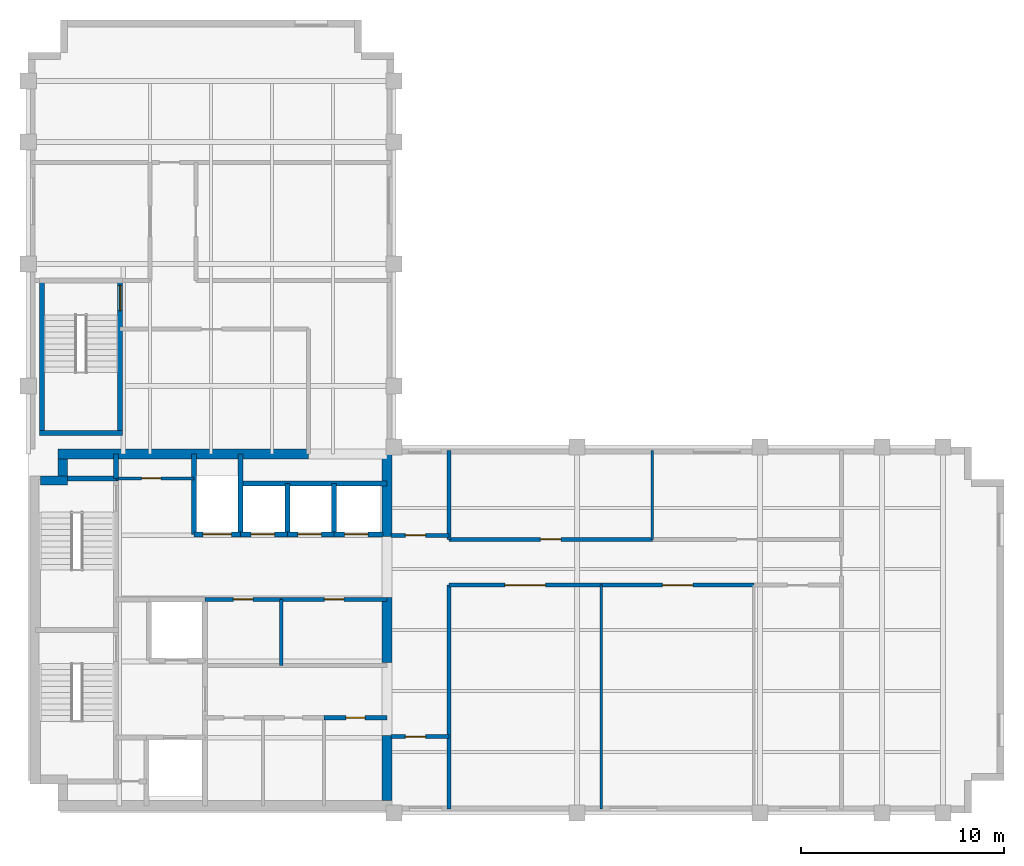
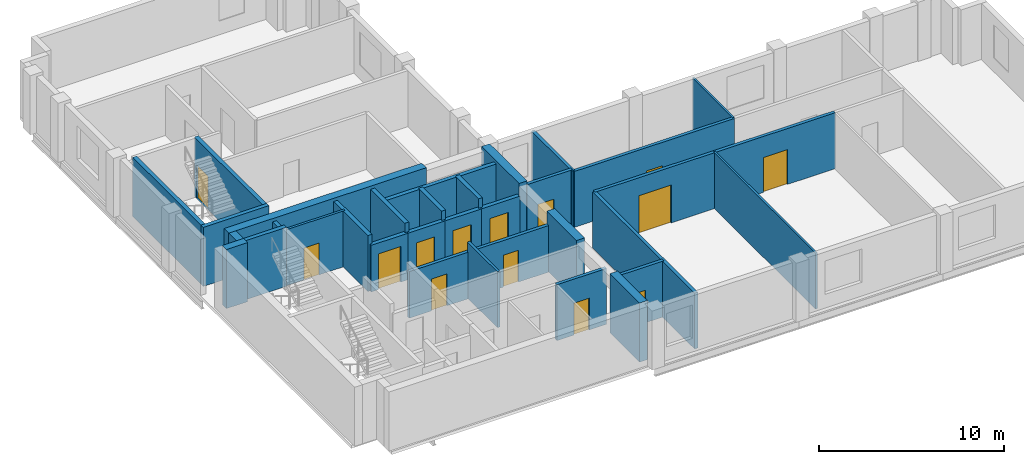
# One storey, part 3 of 6: 34 walls, 14 doors, 14 openings.
"""IFC4 building model written with IfcOpenShell, lengths in metres."""

from ifc_helpers import new_model, si_unit, direction, frame, frame_2d, origin, place, context, subcontext, project, spatial, rectangle, extrude, material, layer, layer_set, type_object, element, fill, save


model = new_model("IFC4")

# Units and contexts
model_context = context("Model", 3, precision=1e-05, world=origin(), true_north=direction((0.0, 1.0)))
body_context = subcontext(model_context, "Body", "Model", "MODEL_VIEW")
ifc_project = project(units=[si_unit("LENGTHUNIT", "METRE"), si_unit("AREAUNIT", "SQUARE_METRE"), si_unit("VOLUMEUNIT", "CUBIC_METRE"), si_unit("PLANEANGLEUNIT", "RADIAN"), si_unit("MASSUNIT", "GRAM", prefix="KILO")], contexts=[model_context])

# Site, building, storey
site_placement = place(None, origin())
site = spatial("IfcSite", under=ifc_project, at=site_placement, CompositionType="ELEMENT")
building_placement = place(site_placement, origin())
building = spatial("IfcBuilding", under=site, at=building_placement, Name="Mawjdan Bourse Tower", CompositionType="ELEMENT")
storey_placement = place(building_placement, frame((0.0, 0.0, 243.0)))
storey = spatial("IfcBuildingStorey", under=building, at=storey_placement, Name="L59", CompositionType="ELEMENT", Elevation=243.0)

# Wall, opening, door
ifc_material_1 = material(Name="Gypsum Fireboard Assembly")
ifc_layer_1 = layer(ifc_material_1, 0.199951171875)
ifc_layer_set_1 = layer_set([ifc_layer_1], Name="Gypsum Fireboard Assembly")
wall_type_1 = type_object("IfcWallType", Name="WL-CMP-200", PredefinedType="PARTITIONING", material=ifc_layer_set_1)
wall_1_placement = place(storey_placement, frame((20.550048828125, 7.679931640625, 0.0), z_axis=(0.0, 0.0, 1.0), x_axis=(1.0, 0.0, 0.0)))
wall_1 = element("IfcWall", 1, at=wall_1_placement, inside=storey, type_object=wall_type_1, Name="L59 Staff Tea Pantry North Wall", PredefinedType="PARTITIONING", context=body_context, shape_type="SweptSolid", body=[
    extrude(rectangle(XDim=3.099853515625, YDim=0.199951171875, at=frame_2d((1.5498046875, 0.0))), origin(), (0.0, 0.0, 1.0), 3.68994140625),
])
opening_1_placement = place(wall_1_placement, frame((1.074951171875, 0.0, 0.0)))
opening_1 = element("IfcOpeningElement", 2, at=opening_1_placement, cuts=wall_1, Name="Opening D-L59-15", PredefinedType="OPENING", context=body_context, shape_type="SweptSolid", body=[
    extrude(rectangle(XDim=0.949951171875, YDim=2.10009765625, at=frame_2d((0.47509765625, 1.050048828125))), frame((0.0, 0.10986328125, 0.0), z_axis=(0.0, -1.0, 0.0), x_axis=(1.0, 0.0, 0.0)), (0.0, 0.0, 1.0), 0.219970703125),
])
ifc_material_2 = material(Name="Moisture-Resistant Laminate Timber", Category="wood")
door_type_1 = type_object("IfcDoorType", Name="DR-WET-0950", OperationType="NOTDEFINED", PredefinedType="DOOR", material=ifc_material_2)
door_1_placement = place(opening_1_placement, origin())
door_1 = element("IfcDoor", 3, at=door_1_placement, inside=storey, type_object=door_type_1, Name="L59 Staff Tea Pantry Door D-L59-15", OperationType="SINGLE_SWING_RIGHT", OverallHeight=2.10009765625, OverallWidth=0.949951171875, PredefinedType="DOOR", context=body_context, shape_type="SweptSolid", body=[
    extrude(rectangle(XDim=0.949951171875, YDim=2.10009765625, at=frame_2d((0.47509765625, 1.050048828125))), frame((0.0, 0.02490234375, 0.0), z_axis=(0.0, -1.0, 0.0), x_axis=(1.0, 0.0, 0.0)), (0.0, 0.0, 1.0), 0.050048828125),
])
fill(opening_1, door_1)

wall_2_placement = place(storey_placement, frame((14.699951171875, 13.5, 0.0), z_axis=(0.0, 0.0, 1.0), x_axis=(1.0, 0.0, 0.0)))
wall_2 = element("IfcWall", 4, at=wall_2_placement, inside=storey, type_object=wall_type_1, Name="L59 Accessible WC North Wall", PredefinedType="PARTITIONING", context=body_context, shape_type="SweptSolid", body=[
    extrude(rectangle(XDim=3.75, YDim=0.199951171875, at=frame_2d((1.875, 0.0))), origin(), (0.0, 0.0, 1.0), 3.072998046875),
])
opening_2_placement = place(wall_2_placement, frame((1.39990234375, 0.0, 0.0)))
opening_2 = element("IfcOpeningElement", 5, at=opening_2_placement, cuts=wall_2, Name="Opening D-L59-16", PredefinedType="OPENING", context=body_context, shape_type="SweptSolid", body=[
    extrude(rectangle(XDim=0.949951171875, YDim=2.10009765625, at=frame_2d((0.47509765625, 1.050048828125))), frame((0.0, 0.10986328125, 0.0), z_axis=(0.0, -1.0, 0.0), x_axis=(1.0, 0.0, 0.0)), (0.0, 0.0, 1.0), 0.219970703125),
])
door_2_placement = place(opening_2_placement, origin())
door_2 = element("IfcDoor", 6, at=door_2_placement, inside=storey, type_object=door_type_1, Name="L59 Accessible WC Door D-L59-16", OperationType="SINGLE_SWING_LEFT", OverallHeight=2.10009765625, OverallWidth=0.949951171875, PredefinedType="DOOR", context=body_context, shape_type="SweptSolid", body=[
    extrude(rectangle(XDim=0.949951171875, YDim=2.10009765625, at=frame_2d((0.47509765625, 1.050048828125))), frame((0.0, 0.02490234375, 0.0), z_axis=(0.0, -1.0, 0.0), x_axis=(1.0, 0.0, 0.0)), (0.0, 0.0, 1.0), 0.050048828125),
])
fill(opening_2, door_2)

wall_3_placement = place(storey_placement, frame((18.449951171875, 13.5, 0.0), z_axis=(0.0, 0.0, 1.0), x_axis=(1.0, 0.0, 0.0)))
wall_3 = element("IfcWall", 7, at=wall_3_placement, inside=storey, type_object=wall_type_1, Name="L59 Unisex Restroom Suite North Wall", PredefinedType="PARTITIONING", context=body_context, shape_type="SweptSolid", body=[
    extrude(rectangle(XDim=5.199951171875, YDim=0.199951171875, at=frame_2d((2.60009765625, 0.0))), origin(), (0.0, 0.0, 1.0), 3.072998046875),
])
opening_3_placement = place(wall_3_placement, frame((2.125, 0.0, 0.0)))
opening_3 = element("IfcOpeningElement", 8, at=opening_3_placement, cuts=wall_3, Name="Opening D-L59-17", PredefinedType="OPENING", context=body_context, shape_type="SweptSolid", body=[
    extrude(rectangle(XDim=0.949951171875, YDim=2.10009765625, at=frame_2d((0.47509765625, 1.050048828125))), frame((0.0, 0.10986328125, 0.0), z_axis=(0.0, -1.0, 0.0), x_axis=(1.0, 0.0, 0.0)), (0.0, 0.0, 1.0), 0.219970703125),
])
door_3_placement = place(opening_3_placement, origin())
door_3 = element("IfcDoor", 9, at=door_3_placement, inside=storey, type_object=door_type_1, Name="L59 Unisex Restroom Suite Door D-L59-17", OperationType="SINGLE_SWING_RIGHT", OverallHeight=2.10009765625, OverallWidth=0.949951171875, PredefinedType="DOOR", context=body_context, shape_type="SweptSolid", body=[
    extrude(rectangle(XDim=0.949951171875, YDim=2.10009765625, at=frame_2d((0.47509765625, 1.050048828125))), frame((0.0, 0.02490234375, 0.0), z_axis=(0.0, -1.0, 0.0), x_axis=(1.0, 0.0, 0.0)), (0.0, 0.0, 1.0), 0.050048828125),
])
fill(opening_3, door_3)

wall_4_placement = place(storey_placement, frame((23.85009765625, 6.75, 0.0), z_axis=(0.0, 0.0, 1.0), x_axis=(1.0, 0.0, 0.0)))
wall_4 = element("IfcWall", 10, at=wall_4_placement, inside=storey, type_object=wall_type_1, Name="L59 West Pocket North Wall", PredefinedType="PARTITIONING", context=body_context, shape_type="SweptSolid", body=[
    extrude(rectangle(XDim=2.849853515625, YDim=0.199951171875, at=frame_2d((1.4248046875, 0.0))), origin(), (0.0, 0.0, 1.0), 3.68994140625),
])
opening_4_placement = place(wall_4_placement, frame((0.699951171875, 0.0, 0.0)))
opening_4 = element("IfcOpeningElement", 11, at=opening_4_placement, cuts=wall_4, Name="Opening D-L59-20", PredefinedType="OPENING", context=body_context, shape_type="SweptSolid", body=[
    extrude(rectangle(XDim=1.0, YDim=2.14990234375, at=frame_2d((0.5, 1.074951171875))), frame((0.0, 0.10986328125, 0.0), z_axis=(0.0, -1.0, 0.0), x_axis=(1.0, 0.0, 0.0)), (0.0, 0.0, 1.0), 0.219970703125),
])
ifc_material_3 = material(Name="Hardwood Acoustic Leaf", Category="wood")
door_type_2 = type_object("IfcDoorType", Name="DR-OFC-1000", OperationType="NOTDEFINED", PredefinedType="DOOR", material=ifc_material_3)
door_4_placement = place(opening_4_placement, origin())
door_4 = element("IfcDoor", 12, at=door_4_placement, inside=storey, type_object=door_type_2, Name="L59 West Pocket Office Door D-L59-20", OperationType="SINGLE_SWING_LEFT", OverallHeight=2.14990234375, OverallWidth=1.0, PredefinedType="DOOR", context=body_context, shape_type="SweptSolid", body=[
    extrude(rectangle(XDim=1.0, YDim=2.14990234375, at=frame_2d((0.5, 1.074951171875))), frame((0.0, 0.02490234375, 0.0), z_axis=(0.0, -1.0, 0.0), x_axis=(1.0, 0.0, 0.0)), (0.0, 0.0, 1.0), 0.050048828125),
])
fill(opening_4, door_4)

wall_5_placement = place(storey_placement, frame((23.85009765625, 16.64990234375, 0.0), z_axis=(0.0, 0.0, 1.0), x_axis=(1.0, 0.0, 0.0)))
wall_5 = element("IfcWall", 13, at=wall_5_placement, inside=storey, type_object=wall_type_1, Name="L59 West North Pocket Wall", PredefinedType="PARTITIONING", context=body_context, shape_type="SweptSolid", body=[
    extrude(rectangle(XDim=2.849853515625, YDim=0.199951171875, at=frame_2d((1.4248046875, 0.0))), origin(), (0.0, 0.0, 1.0), 3.68994140625),
])
opening_5_placement = place(wall_5_placement, frame((0.699951171875, 0.0, 0.0)))
opening_5 = element("IfcOpeningElement", 14, at=opening_5_placement, cuts=wall_5, Name="Opening D-L59-21", PredefinedType="OPENING", context=body_context, shape_type="SweptSolid", body=[
    extrude(rectangle(XDim=1.0, YDim=2.14990234375, at=frame_2d((0.5, 1.074951171875))), frame((0.0, 0.10986328125, 0.0), z_axis=(0.0, -1.0, 0.0), x_axis=(1.0, 0.0, 0.0)), (0.0, 0.0, 1.0), 0.219970703125),
])
door_5_placement = place(opening_5_placement, origin())
door_5 = element("IfcDoor", 15, at=door_5_placement, inside=storey, type_object=door_type_2, Name="L59 West North Pocket Door D-L59-21", OperationType="SINGLE_SWING_RIGHT", OverallHeight=2.14990234375, OverallWidth=1.0, PredefinedType="DOOR", context=body_context, shape_type="SweptSolid", body=[
    extrude(rectangle(XDim=1.0, YDim=2.14990234375, at=frame_2d((0.5, 1.074951171875))), frame((0.0, 0.02490234375, 0.0), z_axis=(0.0, -1.0, 0.0), x_axis=(1.0, 0.0, 0.0)), (0.0, 0.0, 1.0), 0.050048828125),
])
fill(opening_5, door_5)

# Walls
wall_6_placement = place(storey_placement, frame((26.699951171875, 3.179931640625, 0.0), z_axis=(0.0, 0.0, 1.0), x_axis=(0.0, 1.0, 0.0)))
element("IfcWall", 16, at=wall_6_placement, inside=storey, type_object=wall_type_1, Name="L59 Vestibule South East Wall", PredefinedType="PARTITIONING", context=body_context, shape_type="SweptSolid", body=[
    extrude(rectangle(XDim=11.02001953125, YDim=0.199951171875, at=frame_2d((5.510009765625, 0.0))), origin(), (0.0, 0.0, 1.0), 3.68994140625),
])
wall_7_placement = place(storey_placement, frame((26.699951171875, 16.449951171875, 0.0), z_axis=(0.0, 0.0, 1.0), x_axis=(0.0, 1.0, 0.0)))
element("IfcWall", 17, at=wall_7_placement, inside=storey, type_object=wall_type_1, Name="L59 Vestibule North East Wall", PredefinedType="PARTITIONING", context=body_context, shape_type="SweptSolid", body=[
    extrude(rectangle(XDim=4.3701171875, YDim=0.199951171875, at=frame_2d((2.18505859375, 0.0))), origin(), (0.0, 0.0, 1.0), 3.68994140625),
])

# Wall, opening, door
wall_8_placement = place(storey_placement, frame((26.699951171875, 14.199951171875, 0.0), z_axis=(0.0, 0.0, 1.0), x_axis=(1.0, 0.0, 0.0)))
wall_8 = element("IfcWall", 18, at=wall_8_placement, inside=storey, type_object=wall_type_1, Name="L59 International Listings Hall Corridor Wall", PredefinedType="PARTITIONING", context=body_context, shape_type="SweptSolid", body=[
    extrude(rectangle(XDim=7.5, YDim=0.199951171875, at=frame_2d((3.75, 0.0))), origin(), (0.0, 0.0, 1.0), 3.68994140625),
])
opening_6_placement = place(wall_8_placement, frame((2.75, 0.0, 0.0)))
opening_6 = element("IfcOpeningElement", 19, at=opening_6_placement, cuts=wall_8, Name="Opening D-L59-22", PredefinedType="OPENING", context=body_context, shape_type="SweptSolid", body=[
    extrude(rectangle(XDim=2.0, YDim=2.5, at=frame_2d((1.0, 1.25))), frame((0.0, 0.10986328125, 0.0), z_axis=(0.0, -1.0, 0.0), x_axis=(1.0, 0.0, 0.0)), (0.0, 0.0, 1.0), 0.219970703125),
])
ifc_material_4 = material(Name="Acoustic Veneered Timber", Category="wood")
door_type_3 = type_object("IfcDoorType", Name="DR-ASM-2000", OperationType="DOUBLE_DOOR_SINGLE_SWING", PredefinedType="DOOR", material=ifc_material_4)
door_6_placement = place(opening_6_placement, origin())
door_6 = element("IfcDoor", 20, at=door_6_placement, inside=storey, type_object=door_type_3, Name="L59 International Listings Hall Door D-L59-22", OperationType="DOUBLE_DOOR_SINGLE_SWING", OverallHeight=2.5, OverallWidth=2.0, PredefinedType="DOOR", context=body_context, shape_type="SweptSolid", body=[
    extrude(rectangle(XDim=2.0, YDim=2.5, at=frame_2d((1.0, 1.25))), frame((0.0, 0.02490234375, 0.0), z_axis=(0.0, -1.0, 0.0), x_axis=(1.0, 0.0, 0.0)), (0.0, 0.0, 1.0), 0.050048828125),
])
fill(opening_6, door_6)

wall_9_placement = place(storey_placement, frame((34.199951171875, 14.199951171875, 0.0), z_axis=(0.0, 0.0, 1.0), x_axis=(1.0, 0.0, 0.0)))
wall_9 = element("IfcWall", 21, at=wall_9_placement, inside=storey, type_object=wall_type_1, Name="L59 Conference Room Corridor Wall", PredefinedType="PARTITIONING", context=body_context, shape_type="SweptSolid", body=[
    extrude(rectangle(XDim=7.5, YDim=0.199951171875, at=frame_2d((3.75, 0.0))), origin(), (0.0, 0.0, 1.0), 3.68994140625),
])
opening_7_placement = place(wall_9_placement, frame((3.0, 0.0, 0.0)))
opening_7 = element("IfcOpeningElement", 22, at=opening_7_placement, cuts=wall_9, Name="Opening D-L59-23", PredefinedType="OPENING", context=body_context, shape_type="SweptSolid", body=[
    extrude(rectangle(XDim=1.5, YDim=2.300048828125, at=frame_2d((0.75, 1.14990234375))), frame((0.0, 0.10986328125, 0.0), z_axis=(0.0, -1.0, 0.0), x_axis=(1.0, 0.0, 0.0)), (0.0, 0.0, 1.0), 0.219970703125),
])
ifc_material_5 = material(Name="Acoustic Glazed Timber", Category="wood")
door_type_4 = type_object("IfcDoorType", Name="DR-CNF-1500", OperationType="DOUBLE_DOOR_SINGLE_SWING", PredefinedType="DOOR", material=ifc_material_5)
door_7_placement = place(opening_7_placement, origin())
door_7 = element("IfcDoor", 23, at=door_7_placement, inside=storey, type_object=door_type_4, Name="L59 Conference Room Door D-L59-23", OperationType="DOUBLE_DOOR_SINGLE_SWING", OverallHeight=2.300048828125, OverallWidth=1.5, PredefinedType="DOOR", context=body_context, shape_type="SweptSolid", body=[
    extrude(rectangle(XDim=1.5, YDim=2.300048828125, at=frame_2d((0.75, 1.14990234375))), frame((0.0, 0.02490234375, 0.0), z_axis=(0.0, -1.0, 0.0), x_axis=(1.0, 0.0, 0.0)), (0.0, 0.0, 1.0), 0.050048828125),
])
fill(opening_7, door_7)

wall_10_placement = place(storey_placement, frame((26.699951171875, 16.449951171875, 0.0), z_axis=(0.0, 0.0, 1.0), x_axis=(1.0, 0.0, 0.0)))
wall_10 = element("IfcWall", 24, at=wall_10_placement, inside=storey, type_object=wall_type_1, Name="L59 Executive Office Corridor Wall", PredefinedType="PARTITIONING", context=body_context, shape_type="SweptSolid", body=[
    extrude(rectangle(XDim=10.0, YDim=0.199951171875, at=frame_2d((5.0, 0.0))), origin(), (0.0, 0.0, 1.0), 3.68994140625),
])
opening_8_placement = place(wall_10_placement, frame((4.5, 0.0, 0.0)))
opening_8 = element("IfcOpeningElement", 25, at=opening_8_placement, cuts=wall_10, Name="Opening D-L59-25", PredefinedType="OPENING", context=body_context, shape_type="SweptSolid", body=[
    extrude(rectangle(XDim=1.0, YDim=2.14990234375, at=frame_2d((0.5, 1.074951171875))), frame((0.0, 0.10986328125, 0.0), z_axis=(0.0, -1.0, 0.0), x_axis=(1.0, 0.0, 0.0)), (0.0, 0.0, 1.0), 0.219970703125),
])
door_8_placement = place(opening_8_placement, origin())
door_8 = element("IfcDoor", 26, at=door_8_placement, inside=storey, type_object=door_type_2, Name="L59 Executive Office Door D-L59-25", OperationType="SINGLE_SWING_RIGHT", OverallHeight=2.14990234375, OverallWidth=1.0, PredefinedType="DOOR", context=body_context, shape_type="SweptSolid", body=[
    extrude(rectangle(XDim=1.0, YDim=2.14990234375, at=frame_2d((0.5, 1.074951171875))), frame((0.0, 0.02490234375, 0.0), z_axis=(0.0, -1.0, 0.0), x_axis=(1.0, 0.0, 0.0)), (0.0, 0.0, 1.0), 0.050048828125),
])
fill(opening_8, door_8)

# Walls
ifc_material_6 = material(Name="Concrete C60/75", Category="concrete")
ifc_layer_2 = layer(ifc_material_6, 0.449951171875)
ifc_layer_set_2 = layer_set([ifc_layer_2], Name="Concrete C60/75")
wall_type_2 = type_object("IfcWallType", Name="WL-CORE-450", PredefinedType="SHEAR", material=ifc_layer_set_2)
wall_11_placement = place(storey_placement, frame((6.60009765625, 19.35009765625, 0.0), z_axis=(0.0, 0.0, 1.0), x_axis=(1.0, 0.0, 0.0)))
element("IfcWall", 27, at=wall_11_placement, inside=storey, type_object=wall_type_2, Name="L59 Rear Core Shear Wall NW-X", PredefinedType="SHEAR", context=body_context, shape_type="SweptSolid", body=[
    extrude(rectangle(XDim=1.324951171875, YDim=0.449951171875, at=frame_2d((0.66259765625, 0.0))), origin(), (0.0, 0.0, 1.0), 3.89990234375),
])
wall_12_placement = place(storey_placement, frame((7.699951171875, 19.574951171875, 0.0), z_axis=(0.0, 0.0, 1.0), x_axis=(0.0, 1.0, 0.0)))
element("IfcWall", 28, at=wall_12_placement, inside=storey, type_object=wall_type_2, Name="L59 Rear Core Shear Wall NW-Y", PredefinedType="SHEAR", context=body_context, shape_type="SweptSolid", body=[
    extrude(rectangle(XDim=0.824951171875, YDim=0.449951171875, at=frame_2d((0.41259765625, 0.0))), origin(), (0.0, 0.0, 1.0), 3.89990234375),
])
ifc_layer_3 = layer(ifc_material_6, 0.5)
ifc_layer_set_3 = layer_set([ifc_layer_3], Name="Concrete C60/75")
wall_type_3 = type_object("IfcWallType", Name="WL-CORE-500", PredefinedType="SHEAR", material=ifc_layer_set_3)
wall_13_placement = place(storey_placement, frame((7.47509765625, 20.64990234375, 0.0), z_axis=(0.0, 0.0, 1.0), x_axis=(1.0, 0.0, 0.0)))
element("IfcWall", 29, at=wall_13_placement, inside=storey, type_object=wall_type_3, Name="L59 Rear Core Shear Wall N", PredefinedType="SHEAR", context=body_context, shape_type="SweptSolid", body=[
    extrude(rectangle(XDim=12.324951171875, YDim=0.5, at=frame_2d((6.16259765625, 0.0))), origin(), (0.0, 0.0, 1.0), 3.89990234375),
])
wall_14_placement = place(storey_placement, frame((23.64990234375, 3.60009765625, 0.0), z_axis=(0.0, 0.0, 1.0), x_axis=(0.0, 1.0, 0.0)))
element("IfcWall", 30, at=wall_14_placement, inside=storey, type_object=wall_type_3, Name="L59 Rear Core Shear Wall E1", PredefinedType="SHEAR", context=body_context, shape_type="SweptSolid", body=[
    extrude(rectangle(XDim=3.199951171875, YDim=0.5, at=frame_2d((1.60009765625, 0.0))), origin(), (0.0, 0.0, 1.0), 3.89990234375),
])
wall_15_placement = place(storey_placement, frame((23.64990234375, 10.39990234375, 0.0), z_axis=(0.0, 0.0, 1.0), x_axis=(0.0, 1.0, 0.0)))
element("IfcWall", 31, at=wall_15_placement, inside=storey, type_object=wall_type_3, Name="L59 Rear Core Shear Wall E2", PredefinedType="SHEAR", context=body_context, shape_type="SweptSolid", body=[
    extrude(rectangle(XDim=3.2001953125, YDim=0.5, at=frame_2d((1.60009765625, 0.0))), origin(), (0.0, 0.0, 1.0), 3.89990234375),
])
wall_16_placement = place(storey_placement, frame((23.64990234375, 16.60009765625, 0.0), z_axis=(0.0, 0.0, 1.0), x_axis=(0.0, 1.0, 0.0)))
element("IfcWall", 32, at=wall_16_placement, inside=storey, type_object=wall_type_3, Name="L59 Rear Core Shear Wall E3", PredefinedType="SHEAR", context=body_context, shape_type="SweptSolid", body=[
    extrude(rectangle(XDim=4.0498046875, YDim=0.5, at=frame_2d((2.02490234375, 0.0))), origin(), (0.0, 0.0, 1.0), 3.89990234375),
])
ifc_material_7 = material(Name="Gypsum Partition")
ifc_layer_4 = layer(ifc_material_7, 0.125)
ifc_layer_set_4 = layer_set([ifc_layer_4], Name="Gypsum Partition")
wall_type_4 = type_object("IfcWallType", Name="WL-PRT-125", PredefinedType="PARTITIONING", material=ifc_layer_set_4)
wall_17_placement = place(storey_placement, frame((34.199951171875, 3.179931640625, 0.0), z_axis=(0.0, 0.0, 1.0), x_axis=(0.0, 1.0, 0.0)))
element("IfcWall", 33, at=wall_17_placement, inside=storey, type_object=wall_type_4, Name="L59 Conference Room Partition", PredefinedType="PARTITIONING", context=body_context, shape_type="SweptSolid", body=[
    extrude(rectangle(XDim=11.02001953125, YDim=0.125, at=frame_2d((5.510009765625, 0.0))), origin(), (0.0, 0.0, 1.0), 3.68994140625),
])
wall_18_placement = place(storey_placement, frame((36.699951171875, 16.449951171875, 0.0), z_axis=(0.0, 0.0, 1.0), x_axis=(0.0, 1.0, 0.0)))
element("IfcWall", 34, at=wall_18_placement, inside=storey, type_object=wall_type_4, Name="L59 Cross-Border Clearing Suite Partition", PredefinedType="PARTITIONING", context=body_context, shape_type="SweptSolid", body=[
    extrude(rectangle(XDim=4.3701171875, YDim=0.125, at=frame_2d((2.18505859375, 0.0))), origin(), (0.0, 0.0, 1.0), 3.68994140625),
])
ifc_material_8 = material(Name="Gypsum Acoustic Partition")
ifc_layer_5 = layer(ifc_material_8, 0.14990234375)
ifc_layer_set_5 = layer_set([ifc_layer_5], Name="Gypsum Acoustic Partition")
wall_type_5 = type_object("IfcWallType", Name="WL-PRT-150", PredefinedType="PARTITIONING", material=ifc_layer_set_5)
wall_19_placement = place(storey_placement, frame((18.449951171875, 10.25, 0.0), z_axis=(0.0, 0.0, 1.0), x_axis=(0.0, 1.0, 0.0)))
element("IfcWall", 35, at=wall_19_placement, inside=storey, type_object=wall_type_5, Name="L59 Unisex Restroom Suite Split Wall", PredefinedType="PARTITIONING", context=body_context, shape_type="SweptSolid", body=[
    extrude(rectangle(XDim=3.25, YDim=0.14990234375, at=frame_2d((1.625, 0.0))), origin(), (0.0, 0.0, 1.0), 3.68994140625),
])

# Wall, opening, door
wall_20_placement = place(storey_placement, frame((10.330078125, 19.449951171875, 0.0), z_axis=(0.0, 0.0, 1.0), x_axis=(1.0, 0.0, 0.0)))
wall_20 = element("IfcWall", 36, at=wall_20_placement, inside=storey, type_object=wall_type_5, Name="L59 Housekeeping South Wall", PredefinedType="PARTITIONING", context=body_context, shape_type="SweptSolid", body=[
    extrude(rectangle(XDim=3.81982421875, YDim=0.14990234375, at=frame_2d((1.909912109375, 0.0))), origin(), (0.0, 0.0, 1.0), 3.68994140625),
])
opening_9_placement = place(wall_20_placement, frame((1.25, 0.0, 0.0)))
opening_9 = element("IfcOpeningElement", 37, at=opening_9_placement, cuts=wall_20, Name="Opening D-L59-18", PredefinedType="OPENING", context=body_context, shape_type="SweptSolid", body=[
    extrude(rectangle(XDim=0.949951171875, YDim=2.10009765625, at=frame_2d((0.47509765625, 1.050048828125))), frame((0.0, 0.0849609375, 0.0), z_axis=(0.0, -1.0, 0.0), x_axis=(1.0, 0.0, 0.0)), (0.0, 0.0, 1.0), 0.169921875),
])
door_9_placement = place(opening_9_placement, origin())
door_9 = element("IfcDoor", 38, at=door_9_placement, inside=storey, type_object=door_type_1, Name="L59 Housekeeping Closet Door D-L59-18", OperationType="SINGLE_SWING_LEFT", OverallHeight=2.10009765625, OverallWidth=0.949951171875, PredefinedType="DOOR", context=body_context, shape_type="SweptSolid", body=[
    extrude(rectangle(XDim=0.949951171875, YDim=2.10009765625, at=frame_2d((0.47509765625, 1.050048828125))), frame((0.0, 0.02490234375, 0.0), z_axis=(0.0, -1.0, 0.0), x_axis=(1.0, 0.0, 0.0)), (0.0, 0.0, 1.0), 0.050048828125),
])
fill(opening_9, door_9)

# Wall
ifc_material_9 = material(Name="Concrete C50/60", Category="concrete")
ifc_layer_6 = layer(ifc_material_9, 0.25)
ifc_layer_set_6 = layer_set([ifc_layer_6], Name="Concrete C50/60")
wall_type_6 = type_object("IfcWallType", Name="WL-SHFT-250", PredefinedType="PARTITIONING", material=ifc_layer_set_6)
wall_21_placement = place(storey_placement, frame((10.330078125, 19.449951171875, 0.0), z_axis=(0.0, 0.0, 1.0), x_axis=(0.0, 1.0, 0.0)))
element("IfcWall", 39, at=wall_21_placement, inside=storey, type_object=wall_type_6, Name="L59 NW Riser East Wall", PredefinedType="PARTITIONING", context=body_context, shape_type="SweptSolid", body=[
    extrude(rectangle(XDim=1.199951171875, YDim=0.25, at=frame_2d((0.60009765625, 0.0))), origin(), (0.0, 0.0, 1.0), 3.68994140625),
])

# Wall, opening, door
wall_22_placement = place(storey_placement, frame((14.14990234375, 16.699951171875, 0.0), z_axis=(0.0, 0.0, 1.0), x_axis=(1.0, 0.0, 0.0)))
wall_22 = element("IfcWall", 40, at=wall_22_placement, inside=storey, type_object=wall_type_6, Name="L59 SVL-01 Front Shaft Wall", PredefinedType="PARTITIONING", context=body_context, shape_type="SweptSolid", body=[
    extrude(rectangle(XDim=2.300048828125, YDim=0.25, at=frame_2d((1.14990234375, 0.0))), origin(), (0.0, 0.0, 1.0), 3.072998046875),
])
opening_10_placement = place(wall_22_placement, frame((0.449951171875, 0.0, 0.0)))
opening_10 = element("IfcOpeningElement", 41, at=opening_10_placement, cuts=wall_22, Name="Opening LD-L59-09", PredefinedType="OPENING", context=body_context, shape_type="SweptSolid", body=[
    extrude(rectangle(XDim=1.39990234375, YDim=2.35009765625, at=frame_2d((0.699951171875, 1.175048828125))), frame((0.0, 0.135009765625, 0.0), z_axis=(0.0, -1.0, 0.0), x_axis=(1.0, 0.0, 0.0)), (0.0, 0.0, 1.0), 0.27001953125),
])
ifc_material_10 = material(Name="Heavy-Duty Stainless Steel", Category="steel")
door_type_5 = type_object("IfcDoorType", Name="LD-SRV-1400", OperationType="DOUBLE_DOOR_SLIDING", PredefinedType="DOOR", material=ifc_material_10)
door_10_placement = place(opening_10_placement, origin())
door_10 = element("IfcDoor", 42, at=door_10_placement, inside=storey, type_object=door_type_5, Name="L59 Service Lift SVL-01 Landing Door LD-L59-09", OperationType="DOUBLE_DOOR_SLIDING", OverallHeight=2.35009765625, OverallWidth=1.39990234375, PredefinedType="DOOR", context=body_context, shape_type="SweptSolid", body=[
    extrude(rectangle(XDim=1.39990234375, YDim=2.35009765625, at=frame_2d((0.699951171875, 1.175048828125))), frame((0.0, 0.02490234375, 0.0), z_axis=(0.0, -1.0, 0.0), x_axis=(1.0, 0.0, 0.0)), (0.0, 0.0, 1.0), 0.050048828125),
])
fill(opening_10, door_10)

# Walls
for number, where, z_axis, x_axis, name in (
    (43, (14.14990234375, 16.699951171875, 0.0), (0.0, 0.0, 1.0), (0.0, 1.0, 0.0), "L59 SVL-01 West Shaft Wall"),
    (44, (16.449951171875, 16.699951171875, 0.0), (0.0, 0.0, 1.0), (0.0, 1.0, 0.0), "L59 SVL-01 East Shaft Wall"),
):
    element("IfcWall", number, at=place(storey_placement, frame(where, z_axis=z_axis, x_axis=x_axis)), inside=storey, type_object=wall_type_6, Name=name, PredefinedType="PARTITIONING", context=body_context, shape_type="SweptSolid", body=[
        extrude(rectangle(XDim=3.949951171875, YDim=0.25, at=frame_2d((1.97509765625, 0.0))), origin(), (0.0, 0.0, 1.0), 3.68994140625),
    ])

# Wall, opening, door
wall_23_placement = place(storey_placement, frame((16.449951171875, 16.699951171875, 0.0), z_axis=(0.0, 0.0, 1.0), x_axis=(1.0, 0.0, 0.0)))
wall_23 = element("IfcWall", 45, at=wall_23_placement, inside=storey, type_object=wall_type_6, Name="L59 PH-01 Front Wall", PredefinedType="PARTITIONING", context=body_context, shape_type="SweptSolid", body=[
    extrude(rectangle(XDim=2.300048828125, YDim=0.25, at=frame_2d((1.14990234375, 0.0))), origin(), (0.0, 0.0, 1.0), 3.072998046875),
])
opening_11_placement = place(wall_23_placement, frame((0.52001953125, 0.0, 0.0)))
opening_11 = element("IfcOpeningElement", 46, at=opening_11_placement, cuts=wall_23, Name="Opening LD-L59-10", PredefinedType="OPENING", context=body_context, shape_type="SweptSolid", body=[
    extrude(rectangle(XDim=1.14990234375, YDim=2.25, at=frame_2d((0.574951171875, 1.125))), frame((0.0, 0.135009765625, 0.0), z_axis=(0.0, -1.0, 0.0), x_axis=(1.0, 0.0, 0.0)), (0.0, 0.0, 1.0), 0.27001953125),
])
ifc_material_11 = material(Name="Brushed Stainless Steel", Category="steel")
door_type_6 = type_object("IfcDoorType", Name="LD-PAS-1150", OperationType="DOUBLE_DOOR_SLIDING", PredefinedType="DOOR", material=ifc_material_11)
door_11_placement = place(opening_11_placement, origin())
door_11 = element("IfcDoor", 47, at=door_11_placement, inside=storey, type_object=door_type_6, Name="L59 Lift PH-01 Landing Door LD-L59-10", OperationType="DOUBLE_DOOR_SLIDING", OverallHeight=2.25, OverallWidth=1.14990234375, PredefinedType="DOOR", context=body_context, shape_type="SweptSolid", body=[
    extrude(rectangle(XDim=1.14990234375, YDim=2.25, at=frame_2d((0.574951171875, 1.125))), frame((0.0, 0.02490234375, 0.0), z_axis=(0.0, -1.0, 0.0), x_axis=(1.0, 0.0, 0.0)), (0.0, 0.0, 1.0), 0.050048828125),
])
fill(opening_11, door_11)

# Wall
wall_24_placement = place(storey_placement, frame((18.75, 16.699951171875, 0.0), z_axis=(0.0, 0.0, 1.0), x_axis=(0.0, 1.0, 0.0)))
element("IfcWall", 48, at=wall_24_placement, inside=storey, type_object=wall_type_6, Name="L59 PH-01 Divider Wall", PredefinedType="PARTITIONING", context=body_context, shape_type="SweptSolid", body=[
    extrude(rectangle(XDim=2.5, YDim=0.25, at=frame_2d((1.25, 0.0))), origin(), (0.0, 0.0, 1.0), 3.68994140625),
])

# Wall, opening, door
wall_25_placement = place(storey_placement, frame((18.75, 16.699951171875, 0.0), z_axis=(0.0, 0.0, 1.0), x_axis=(1.0, 0.0, 0.0)))
wall_25 = element("IfcWall", 49, at=wall_25_placement, inside=storey, type_object=wall_type_6, Name="L59 PH-02 Front Wall", PredefinedType="PARTITIONING", context=body_context, shape_type="SweptSolid", body=[
    extrude(rectangle(XDim=2.300048828125, YDim=0.25, at=frame_2d((1.14990234375, 0.0))), origin(), (0.0, 0.0, 1.0), 3.072998046875),
])
opening_12_placement = place(wall_25_placement, frame((0.52001953125, 0.0, 0.0)))
opening_12 = element("IfcOpeningElement", 50, at=opening_12_placement, cuts=wall_25, Name="Opening LD-L59-11", PredefinedType="OPENING", context=body_context, shape_type="SweptSolid", body=[
    extrude(rectangle(XDim=1.14990234375, YDim=2.25, at=frame_2d((0.574951171875, 1.125))), frame((0.0, 0.135009765625, 0.0), z_axis=(0.0, -1.0, 0.0), x_axis=(1.0, 0.0, 0.0)), (0.0, 0.0, 1.0), 0.27001953125),
])
door_12_placement = place(opening_12_placement, origin())
door_12 = element("IfcDoor", 51, at=door_12_placement, inside=storey, type_object=door_type_6, Name="L59 Lift PH-02 Landing Door LD-L59-11", OperationType="DOUBLE_DOOR_SLIDING", OverallHeight=2.25, OverallWidth=1.14990234375, PredefinedType="DOOR", context=body_context, shape_type="SweptSolid", body=[
    extrude(rectangle(XDim=1.14990234375, YDim=2.25, at=frame_2d((0.574951171875, 1.125))), frame((0.0, 0.02490234375, 0.0), z_axis=(0.0, -1.0, 0.0), x_axis=(1.0, 0.0, 0.0)), (0.0, 0.0, 1.0), 0.050048828125),
])
fill(opening_12, door_12)

# Wall
wall_26_placement = place(storey_placement, frame((21.050048828125, 16.699951171875, 0.0), z_axis=(0.0, 0.0, 1.0), x_axis=(0.0, 1.0, 0.0)))
element("IfcWall", 52, at=wall_26_placement, inside=storey, type_object=wall_type_6, Name="L59 PH-02 Divider Wall", PredefinedType="PARTITIONING", context=body_context, shape_type="SweptSolid", body=[
    extrude(rectangle(XDim=2.5, YDim=0.25, at=frame_2d((1.25, 0.0))), origin(), (0.0, 0.0, 1.0), 3.68994140625),
])

# Wall, opening, door
wall_27_placement = place(storey_placement, frame((21.050048828125, 16.699951171875, 0.0), z_axis=(0.0, 0.0, 1.0), x_axis=(1.0, 0.0, 0.0)))
wall_27 = element("IfcWall", 53, at=wall_27_placement, inside=storey, type_object=wall_type_6, Name="L59 PH-03 Front Wall", PredefinedType="PARTITIONING", context=body_context, shape_type="SweptSolid", body=[
    extrude(rectangle(XDim=2.39990234375, YDim=0.25, at=frame_2d((1.199951171875, 0.0))), origin(), (0.0, 0.0, 1.0), 3.072998046875),
])
opening_13_placement = place(wall_27_placement, frame((0.52001953125, 0.0, 0.0)))
opening_13 = element("IfcOpeningElement", 54, at=opening_13_placement, cuts=wall_27, Name="Opening LD-L59-12", PredefinedType="OPENING", context=body_context, shape_type="SweptSolid", body=[
    extrude(rectangle(XDim=1.14990234375, YDim=2.25, at=frame_2d((0.574951171875, 1.125))), frame((0.0, 0.135009765625, 0.0), z_axis=(0.0, -1.0, 0.0), x_axis=(1.0, 0.0, 0.0)), (0.0, 0.0, 1.0), 0.27001953125),
])
door_13_placement = place(opening_13_placement, origin())
door_13 = element("IfcDoor", 55, at=door_13_placement, inside=storey, type_object=door_type_6, Name="L59 Lift PH-03 Landing Door LD-L59-12", OperationType="DOUBLE_DOOR_SLIDING", OverallHeight=2.25, OverallWidth=1.14990234375, PredefinedType="DOOR", context=body_context, shape_type="SweptSolid", body=[
    extrude(rectangle(XDim=1.14990234375, YDim=2.25, at=frame_2d((0.574951171875, 1.125))), frame((0.0, 0.02490234375, 0.0), z_axis=(0.0, -1.0, 0.0), x_axis=(1.0, 0.0, 0.0)), (0.0, 0.0, 1.0), 0.050048828125),
])
fill(opening_13, door_13)

# Walls
wall_28_placement = place(storey_placement, frame((16.449951171875, 19.199951171875, 0.0), z_axis=(0.0, 0.0, 1.0), x_axis=(1.0, 0.0, 0.0)))
element("IfcWall", 56, at=wall_28_placement, inside=storey, type_object=wall_type_6, Name="L59 PH Bank North Shaft Back Wall", PredefinedType="PARTITIONING", context=body_context, shape_type="SweptSolid", body=[
    extrude(rectangle(XDim=7.199951171875, YDim=0.25, at=frame_2d((3.60009765625, 0.0))), origin(), (0.0, 0.0, 1.0), 3.68994140625),
])
ifc_layer_7 = layer(ifc_material_9, 0.25)
ifc_layer_set_7 = layer_set([ifc_layer_7], Name="Concrete C50/60")
wall_type_7 = type_object("IfcWallType", Name="WL-STRW-250", PredefinedType="SHEAR", material=ifc_layer_set_7)
wall_29_placement = place(storey_placement, frame((7.699951171875, 19.449951171875, 0.0), z_axis=(0.0, 0.0, 1.0), x_axis=(1.0, 0.0, 0.0)))
element("IfcWall", 57, at=wall_29_placement, inside=storey, type_object=wall_type_7, Name="L59 Stairwell ST2 North Shaft Wall", PredefinedType="SHEAR", context=body_context, shape_type="SweptSolid", body=[
    extrude(rectangle(XDim=2.755126953125, YDim=0.25, at=frame_2d((1.37744140625, 0.0))), origin(), (0.0, 0.0, 1.0), 3.89990234375),
])
wall_30_placement = place(storey_placement, frame((6.554931640625, 21.679931640625, 0.0), z_axis=(0.0, 0.0, 1.0), x_axis=(1.0, 0.0, 0.0)))
element("IfcWall", 58, at=wall_30_placement, inside=storey, type_object=wall_type_7, Name="L59 ST3 South Shaft Wall", PredefinedType="SHEAR", context=body_context, shape_type="SweptSolid", body=[
    extrude(rectangle(XDim=4.090087890625, YDim=0.25, at=frame_2d((2.044921875, 0.0))), origin(), (0.0, 0.0, 1.0), 3.89990234375),
])
wall_31_placement = place(storey_placement, frame((6.679931640625, 21.679931640625, 0.0), z_axis=(0.0, 0.0, 1.0), x_axis=(0.0, 1.0, 0.0)))
element("IfcWall", 59, at=wall_31_placement, inside=storey, type_object=wall_type_7, Name="L59 ST3 West Shaft Wall", PredefinedType="SHEAR", context=body_context, shape_type="SweptSolid", body=[
    extrude(rectangle(XDim=7.5, YDim=0.25, at=frame_2d((3.75, 0.0))), origin(), (0.0, 0.0, 1.0), 3.89990234375),
])

# Wall, opening, door
wall_32_placement = place(storey_placement, frame((10.52001953125, 21.679931640625, 0.0), z_axis=(0.0, 0.0, 1.0), x_axis=(0.0, 1.0, 0.0)))
wall_32 = element("IfcWall", 60, at=wall_32_placement, inside=storey, type_object=wall_type_7, Name="L59 ST3 East Shaft Wall", PredefinedType="SHEAR", context=body_context, shape_type="SweptSolid", body=[
    extrude(rectangle(XDim=7.5, YDim=0.25, at=frame_2d((3.75, 0.0))), origin(), (0.0, 0.0, 1.0), 3.89990234375),
])
opening_14_placement = place(wall_32_placement, frame((6.02001953125, 0.0, 0.0)))
opening_14 = element("IfcOpeningElement", 61, at=opening_14_placement, cuts=wall_32, Name="Opening SD-L59-19", PredefinedType="OPENING", context=body_context, shape_type="SweptSolid", body=[
    extrude(rectangle(XDim=1.25, YDim=2.199951171875, at=frame_2d((0.625, 1.10009765625))), frame((0.0, 0.135009765625, 0.0), z_axis=(0.0, -1.0, 0.0), x_axis=(1.0, 0.0, 0.0)), (0.0, 0.0, 1.0), 0.27001953125),
])
ifc_material_12 = material(Name="Fire-Rated Steel Leaf", Category="steel")
door_type_7 = type_object("IfcDoorType", Name="FD-ST-1250", OperationType="NOTDEFINED", PredefinedType="DOOR", material=ifc_material_12)
door_14_placement = place(opening_14_placement, origin())
door_14 = element("IfcDoor", 62, at=door_14_placement, inside=storey, type_object=door_type_7, Name="L59 Stair ST3 Fire Door SD-L59-19", OperationType="SINGLE_SWING_RIGHT", OverallHeight=2.199951171875, OverallWidth=1.25, PredefinedType="DOOR", context=body_context, shape_type="SweptSolid", body=[
    extrude(rectangle(XDim=1.25, YDim=2.199951171875, at=frame_2d((0.625, 1.10009765625))), frame((0.0, 0.02490234375, 0.0), z_axis=(0.0, -1.0, 0.0), x_axis=(1.0, 0.0, 0.0)), (0.0, 0.0, 1.0), 0.050048828125),
])
fill(opening_14, door_14)

save(model, "model.ifc")
